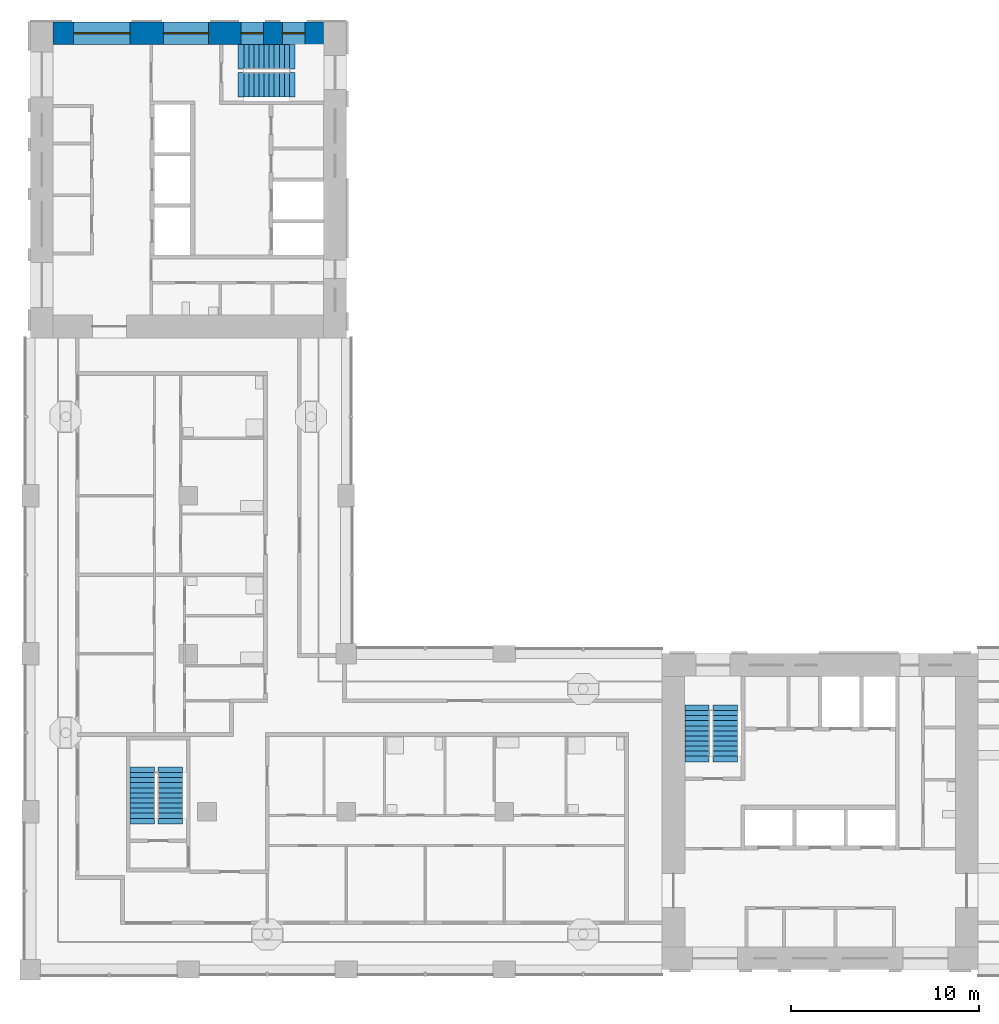
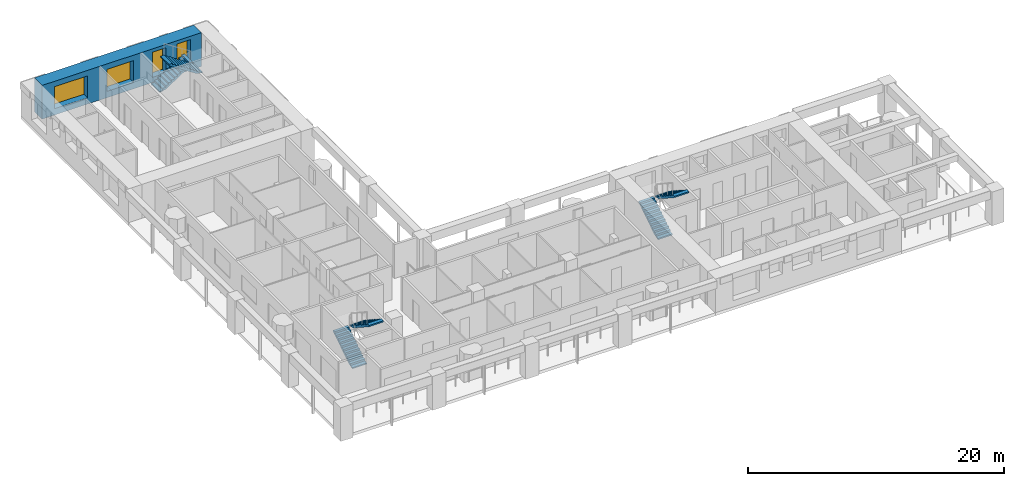
# One storey, part 7 of 13: 6 stair flights, 4 windows, 1 wall, 4 openings, 3 elements without a shape of their own.
"""IFC4 building model written with IfcOpenShell, lengths in metres."""

from ifc_helpers import new_model, si_unit, direction, frame, frame_2d, origin, place, context, subcontext, project, spatial, polyline, rectangle, outline, extrude, material, layer, layer_set, type_object, element, fill, aggregate, save


model = new_model("IFC4")

# Units and contexts
model_context = context("Model", 3, precision=1e-05, world=origin(), true_north=direction((0.0, 1.0)))
body_context = subcontext(model_context, "Body", "Model", "MODEL_VIEW")
ifc_project = project(units=[si_unit("LENGTHUNIT", "METRE"), si_unit("AREAUNIT", "SQUARE_METRE"), si_unit("VOLUMEUNIT", "CUBIC_METRE"), si_unit("PLANEANGLEUNIT", "RADIAN"), si_unit("MASSUNIT", "GRAM", prefix="KILO")], contexts=[model_context])

# Site, building, storey
site_placement = place(None, origin())
site = spatial("IfcSite", under=ifc_project, at=site_placement, CompositionType="ELEMENT")
building_placement = place(site_placement, origin())
building = spatial("IfcBuilding", under=site, at=building_placement, Name="Vermilion Gate Residences", CompositionType="ELEMENT")
storey_placement = place(building_placement, frame((0.0, 0.0, 154.699951171875)))
storey = spatial("IfcBuildingStorey", under=building, at=storey_placement, Name="L39", CompositionType="ELEMENT", Elevation=154.699951171875)

# Wall, openings, windows
ifc_material_1 = material(Name="Concrete C60 red-oxide pigmented", Category="concrete")
ifc_layer = layer(ifc_material_1, 1.199951171875)
ifc_layer_set = layer_set([ifc_layer], Name="RC CORE WALL 1200 C60 RED OXIDE")
wall_type = type_object("IfcWallType", Name="RC CORE WALL 1200 C60 RED OXIDE", PredefinedType="SHEAR", material=ifc_layer_set)
wall_placement = place(storey_placement, frame((9.60009765625, 58.199951171875, 0.0), z_axis=(0.0, 0.0, 1.0), x_axis=(1.0, 0.0, 0.0)))
wall = element("IfcWall", 1, at=wall_placement, inside=storey, type_object=wall_type, Name="Core wall B39-OUT-FR", PredefinedType="SHEAR", context=body_context, shape_type="SweptSolid", body=[
    extrude(rectangle(XDim=14.39990234375, YDim=1.199951171875, at=frame_2d((7.199951171875, 0.0))), origin(), (0.0, 0.0, 1.0), 3.219970703125),
])
opening_1_placement = place(wall_placement, frame((1.10498046875, 0.0, 0.60009765625)))
opening_1 = element("IfcOpeningElement", 2, at=opening_1_placement, cuts=wall, Name="Opening WKB3911", PredefinedType="OPENING", context=body_context, shape_type="SweptSolid", body=[
    extrude(rectangle(XDim=3.0, YDim=2.10009765625, at=frame_2d((1.5, 1.050048828125))), frame((0.0, 0.60986328125, 0.0), z_axis=(0.0, -1.0, 0.0), x_axis=(1.0, 0.0, 0.0)), (0.0, 0.0, 1.0), 1.219970703125),
])
opening_2_placement = place(wall_placement, frame((5.875, 0.0, 0.60009765625)))
opening_2 = element("IfcOpeningElement", 3, at=opening_2_placement, cuts=wall, Name="Opening WKB3912", PredefinedType="OPENING", context=body_context, shape_type="SweptSolid", body=[
    extrude(rectangle(XDim=2.39990234375, YDim=2.10009765625, at=frame_2d((1.199951171875, 1.050048828125))), frame((0.0, 0.60986328125, 0.0), z_axis=(0.0, -1.0, 0.0), x_axis=(1.0, 0.0, 0.0)), (0.0, 0.0, 1.0), 1.219970703125),
])
opening_3_placement = place(wall_placement, frame((9.993408203125, 0.0, 0.5)))
opening_3 = element("IfcOpeningElement", 4, at=opening_3_placement, cuts=wall, Name="Opening WKB3913", PredefinedType="OPENING", context=body_context, shape_type="SweptSolid", body=[
    extrude(rectangle(XDim=1.199951171875, YDim=2.39990234375, at=frame_2d((0.60009765625, 1.199951171875))), frame((0.0, 0.60986328125, 0.0), z_axis=(0.0, -1.0, 0.0), x_axis=(1.0, 0.0, 0.0)), (0.0, 0.0, 1.0), 1.219970703125),
])
opening_4_placement = place(wall_placement, frame((12.19677734375, 0.0, 0.5)))
opening_4 = element("IfcOpeningElement", 5, at=opening_4_placement, cuts=wall, Name="Opening WKB3914", PredefinedType="OPENING", context=body_context, shape_type="SweptSolid", body=[
    extrude(rectangle(XDim=1.199951171875, YDim=2.39990234375, at=frame_2d((0.60009765625, 1.199951171875))), frame((0.0, 0.60986328125, 0.0), z_axis=(0.0, -1.0, 0.0), x_axis=(1.0, 0.0, 0.0)), (0.0, 0.0, 1.0), 1.219970703125),
])
ifc_material_2 = material(Name="Aluminium and clear glass", Category="aluminium")
window_type_1 = type_object("IfcWindowType", Name="CORE LOBBY WINDOW 2400 X 2100", PartitioningType="SINGLE_PANEL", PredefinedType="WINDOW", material=ifc_material_2)
window_1_placement = place(opening_2_placement, origin())
window_1 = element("IfcWindow", 6, at=window_1_placement, inside=storey, type_object=window_type_1, Name="Core lobby window", OverallHeight=2.10009765625, OverallWidth=2.39990234375, PartitioningType="SINGLE_PANEL", PredefinedType="WINDOW", context=body_context, shape_type="SweptSolid", body=[
    extrude(rectangle(XDim=2.39990234375, YDim=2.10009765625, at=frame_2d((1.199951171875, 1.050048828125))), frame((0.0, 0.030029296875, 0.0), z_axis=(0.0, -1.0, 0.0), x_axis=(1.0, 0.0, 0.0)), (0.0, 0.0, 1.0), 0.06005859375),
])
fill(opening_2, window_1)
ifc_material_3 = material(Name="Aluminium and clear glass", Category="aluminium")
window_type_2 = type_object("IfcWindowType", Name="CORE LOBBY WINDOW 3000 X 2100", PartitioningType="SINGLE_PANEL", PredefinedType="WINDOW", material=ifc_material_3)
window_2_placement = place(opening_1_placement, origin())
window_2 = element("IfcWindow", 7, at=window_2_placement, inside=storey, type_object=window_type_2, Name="Core lobby window", OverallHeight=2.10009765625, OverallWidth=3.0, PartitioningType="SINGLE_PANEL", PredefinedType="WINDOW", context=body_context, shape_type="SweptSolid", body=[
    extrude(rectangle(XDim=3.0, YDim=2.10009765625, at=frame_2d((1.5, 1.050048828125))), frame((0.0, 0.030029296875, 0.0), z_axis=(0.0, -1.0, 0.0), x_axis=(1.0, 0.0, 0.0)), (0.0, 0.0, 1.0), 0.06005859375),
])
fill(opening_1, window_2)
ifc_material_4 = material(Name="Aluminium and clear glass", Category="aluminium")
window_type_3 = type_object("IfcWindowType", Name="CORE STAIR WINDOW 1200 X 2400", PartitioningType="SINGLE_PANEL", PredefinedType="WINDOW", material=ifc_material_4)
window_3_placement = place(opening_3_placement, origin())
window_3 = element("IfcWindow", 8, at=window_3_placement, inside=storey, type_object=window_type_3, Name="Core stair window", OverallHeight=2.39990234375, OverallWidth=1.199951171875, PartitioningType="SINGLE_PANEL", PredefinedType="WINDOW", context=body_context, shape_type="SweptSolid", body=[
    extrude(rectangle(XDim=1.199951171875, YDim=2.39990234375, at=frame_2d((0.60009765625, 1.199951171875))), frame((0.0, 0.030029296875, 0.0), z_axis=(0.0, -1.0, 0.0), x_axis=(1.0, 0.0, 0.0)), (0.0, 0.0, 1.0), 0.06005859375),
])
fill(opening_3, window_3)
window_4_placement = place(opening_4_placement, origin())
window_4 = element("IfcWindow", 9, at=window_4_placement, inside=storey, type_object=window_type_3, Name="Core stair window", OverallHeight=2.39990234375, OverallWidth=1.199951171875, PartitioningType="SINGLE_PANEL", PredefinedType="WINDOW", context=body_context, shape_type="SweptSolid", body=[
    extrude(rectangle(XDim=1.199951171875, YDim=2.39990234375, at=frame_2d((0.60009765625, 1.199951171875))), frame((0.0, 0.030029296875, 0.0), z_axis=(0.0, -1.0, 0.0), x_axis=(1.0, 0.0, 0.0)), (0.0, 0.0, 1.0), 0.06005859375),
])
fill(opening_4, window_4)

# Stair, stair flights
ifc_material_5 = material(Name="Concrete C50", Category="concrete")
stair_type = type_object("IfcStairType", Name="SPECIAL ESCAPE STAIR 1300", PredefinedType="HALF_TURN_STAIR", material=ifc_material_5)
stair_1_placement = place(storey_placement, origin())
stair_1 = element("IfcStair", 10, at=stair_1_placement, inside=storey, type_object=stair_type, Name="Special escape stair STA1-39", PredefinedType="HALF_TURN_STAIR")
ifc_material_6 = material(Name="Concrete C50", Category="concrete")
stair_flight_type = type_object("IfcStairFlightType", Name="STAIR FLIGHT 1300 RC C50", PredefinedType="STRAIGHT", material=ifc_material_6)
stair_flight_1_placement = place(storey_placement, frame((43.85009765625, 19.75, 0.0), z_axis=(0.0, 0.0, 1.0), x_axis=(0.0, 1.0, 0.0)))
stair_flight_1 = element("IfcStairFlight", 11, at=stair_flight_1_placement, type_object=stair_flight_type, Name="STA1-39 flight 1", NumberOfRisers=10, NumberOfTreads=9, PredefinedType="STRAIGHT", RiserHeight=0.175, TreadLength=0.27, context=body_context, shape_type="SweptSolid", body=[
    extrude(outline(polyline([(-0.300048828125, -0.14990234375), (-0.300048828125, -0.030029296875), (0.0, 0.0), (0.0, 0.175048828125), (0.27001953125, 0.175048828125), (0.27001953125, 0.35009765625), (0.5400390625, 0.35009765625), (0.5400390625, 0.52490234375), (0.81005859375, 0.52490234375), (0.81005859375, 0.699951171875), (1.080078125, 0.699951171875), (1.080078125, 0.875), (1.35009765625, 0.875), (1.35009765625, 1.050048828125), (1.6201171875, 1.050048828125), (1.6201171875, 1.22509765625), (1.889892578125, 1.22509765625), (1.889892578125, 1.39990234375), (2.159912109375, 1.39990234375), (2.159912109375, 1.574951171875), (2.429931640625, 1.574951171875), (2.429931640625, 1.75), (2.72998046875, 1.719970703125), (2.72998046875, 1.60009765625), (2.429931640625, 1.396484375), (0.275634765625, 0.0), (-0.300048828125, -0.14990234375)])), frame((0.0, 0.64990234375, 0.0), z_axis=(0.0, -1.0, 0.0), x_axis=(1.0, 0.0, 0.0)), (0.0, 0.0, 1.0), 1.300048828125),
])
stair_flight_2_placement = place(storey_placement, frame((45.35009765625, 22.179931640625, 1.75), z_axis=(0.0, 0.0, 1.0), x_axis=(0.0, -1.0, 0.0)))
stair_flight_2 = element("IfcStairFlight", 12, at=stair_flight_2_placement, type_object=stair_flight_type, Name="STA1-39 flight 2", NumberOfRisers=10, NumberOfTreads=9, PredefinedType="STRAIGHT", RiserHeight=0.175, TreadLength=0.27, context=body_context, shape_type="SweptSolid", body=[
    extrude(outline(polyline([(-0.300048828125, -0.14990234375), (-0.300048828125, -0.030029296875), (0.0, 0.0), (0.0, 0.175048828125), (0.27001953125, 0.175048828125), (0.27001953125, 0.35009765625), (0.5400390625, 0.35009765625), (0.5400390625, 0.52490234375), (0.81005859375, 0.52490234375), (0.81005859375, 0.699951171875), (1.080078125, 0.699951171875), (1.080078125, 0.875), (1.35009765625, 0.875), (1.35009765625, 1.050048828125), (1.6201171875, 1.050048828125), (1.6201171875, 1.22509765625), (1.889892578125, 1.22509765625), (1.889892578125, 1.39990234375), (2.159912109375, 1.39990234375), (2.159912109375, 1.574951171875), (2.429931640625, 1.574951171875), (2.429931640625, 1.75), (2.72998046875, 1.719970703125), (2.72998046875, 1.60009765625), (2.429931640625, 1.396484375), (0.275634765625, 0.0), (-0.300048828125, -0.14990234375)])), frame((0.0, 0.64990234375, 0.0), z_axis=(0.0, -1.0, 0.0), x_axis=(1.0, 0.0, 0.0)), (0.0, 0.0, 1.0), 1.300048828125),
])
aggregate(stair_1, [stair_flight_1, stair_flight_2])

stair_2_placement = place(storey_placement, origin())
stair_2 = element("IfcStair", 13, at=stair_2_placement, inside=storey, type_object=stair_type, Name="Special escape stair STB1-39", PredefinedType="HALF_TURN_STAIR")
stair_flight_3_placement = place(storey_placement, frame((19.75, 56.949951171875, 0.0), z_axis=(0.0, 0.0, 1.0), x_axis=(1.0, 0.0, 0.0)))
stair_flight_3 = element("IfcStairFlight", 14, at=stair_flight_3_placement, type_object=stair_flight_type, Name="STB1-39 flight 1", NumberOfRisers=10, NumberOfTreads=9, PredefinedType="STRAIGHT", RiserHeight=0.175, TreadLength=0.27, context=body_context, shape_type="SweptSolid", body=[
    extrude(outline(polyline([(-0.300048828125, -0.14990234375), (-0.300048828125, -0.030029296875), (0.0, 0.0), (0.0, 0.175048828125), (0.27001953125, 0.175048828125), (0.27001953125, 0.35009765625), (0.5400390625, 0.35009765625), (0.5400390625, 0.52490234375), (0.81005859375, 0.52490234375), (0.81005859375, 0.699951171875), (1.080078125, 0.699951171875), (1.080078125, 0.875), (1.35009765625, 0.875), (1.35009765625, 1.050048828125), (1.6201171875, 1.050048828125), (1.6201171875, 1.22509765625), (1.889892578125, 1.22509765625), (1.889892578125, 1.39990234375), (2.159912109375, 1.39990234375), (2.159912109375, 1.574951171875), (2.429931640625, 1.574951171875), (2.429931640625, 1.75), (2.72998046875, 1.719970703125), (2.72998046875, 1.60009765625), (2.429931640625, 1.396484375), (0.275634765625, 0.0), (-0.300048828125, -0.14990234375)])), frame((0.0, 0.64990234375, 0.0), z_axis=(0.0, -1.0, 0.0), x_axis=(1.0, 0.0, 0.0)), (0.0, 0.0, 1.0), 1.300048828125),
])
stair_flight_4_placement = place(storey_placement, frame((22.179931640625, 55.449951171875, 1.75), z_axis=(0.0, 0.0, 1.0), x_axis=(-1.0, 0.0, 0.0)))
stair_flight_4 = element("IfcStairFlight", 15, at=stair_flight_4_placement, type_object=stair_flight_type, Name="STB1-39 flight 2", NumberOfRisers=10, NumberOfTreads=9, PredefinedType="STRAIGHT", RiserHeight=0.175, TreadLength=0.27, context=body_context, shape_type="SweptSolid", body=[
    extrude(outline(polyline([(-0.300048828125, -0.14990234375), (-0.300048828125, -0.030029296875), (0.0, 0.0), (0.0, 0.175048828125), (0.27001953125, 0.175048828125), (0.27001953125, 0.35009765625), (0.5400390625, 0.35009765625), (0.5400390625, 0.52490234375), (0.81005859375, 0.52490234375), (0.81005859375, 0.699951171875), (1.080078125, 0.699951171875), (1.080078125, 0.875), (1.35009765625, 0.875), (1.35009765625, 1.050048828125), (1.6201171875, 1.050048828125), (1.6201171875, 1.22509765625), (1.889892578125, 1.22509765625), (1.889892578125, 1.39990234375), (2.159912109375, 1.39990234375), (2.159912109375, 1.574951171875), (2.429931640625, 1.574951171875), (2.429931640625, 1.75), (2.72998046875, 1.719970703125), (2.72998046875, 1.60009765625), (2.429931640625, 1.396484375), (0.275634765625, 0.0), (-0.300048828125, -0.14990234375)])), frame((0.0, 0.64990234375, 0.0), z_axis=(0.0, -1.0, 0.0), x_axis=(1.0, 0.0, 0.0)), (0.0, 0.0, 1.0), 1.300048828125),
])
aggregate(stair_2, [stair_flight_3, stair_flight_4])

stair_3_placement = place(storey_placement, origin())
stair_3 = element("IfcStair", 16, at=stair_3_placement, inside=storey, type_object=stair_type, Name="Special escape stair STC1-39", PredefinedType="HALF_TURN_STAIR")
stair_flight_5_placement = place(storey_placement, frame((14.35009765625, 16.449951171875, 0.0), z_axis=(0.0, 0.0, 1.0), x_axis=(0.0, 1.0, 0.0)))
stair_flight_5 = element("IfcStairFlight", 17, at=stair_flight_5_placement, type_object=stair_flight_type, Name="STC1-39 flight 1", NumberOfRisers=10, NumberOfTreads=9, PredefinedType="STRAIGHT", RiserHeight=0.175, TreadLength=0.27, context=body_context, shape_type="SweptSolid", body=[
    extrude(outline(polyline([(-0.300048828125, -0.14990234375), (-0.300048828125, -0.030029296875), (0.0, 0.0), (0.0, 0.175048828125), (0.27001953125, 0.175048828125), (0.27001953125, 0.35009765625), (0.5400390625, 0.35009765625), (0.5400390625, 0.52490234375), (0.81005859375, 0.52490234375), (0.81005859375, 0.699951171875), (1.080078125, 0.699951171875), (1.080078125, 0.875), (1.35009765625, 0.875), (1.35009765625, 1.050048828125), (1.6201171875, 1.050048828125), (1.6201171875, 1.22509765625), (1.889892578125, 1.22509765625), (1.889892578125, 1.39990234375), (2.159912109375, 1.39990234375), (2.159912109375, 1.574951171875), (2.429931640625, 1.574951171875), (2.429931640625, 1.75), (2.72998046875, 1.719970703125), (2.72998046875, 1.60009765625), (2.429931640625, 1.396484375), (0.275634765625, 0.0), (-0.300048828125, -0.14990234375)])), frame((0.0, 0.64990234375, 0.0), z_axis=(0.0, -1.0, 0.0), x_axis=(1.0, 0.0, 0.0)), (0.0, 0.0, 1.0), 1.300048828125),
])
stair_flight_6_placement = place(storey_placement, frame((15.85009765625, 18.8798828125, 1.75), z_axis=(0.0, 0.0, 1.0), x_axis=(0.0, -1.0, 0.0)))
stair_flight_6 = element("IfcStairFlight", 18, at=stair_flight_6_placement, type_object=stair_flight_type, Name="STC1-39 flight 2", NumberOfRisers=10, NumberOfTreads=9, PredefinedType="STRAIGHT", RiserHeight=0.175, TreadLength=0.27, context=body_context, shape_type="SweptSolid", body=[
    extrude(outline(polyline([(-0.300048828125, -0.14990234375), (-0.300048828125, -0.030029296875), (0.0, 0.0), (0.0, 0.175048828125), (0.27001953125, 0.175048828125), (0.27001953125, 0.35009765625), (0.5400390625, 0.35009765625), (0.5400390625, 0.52490234375), (0.81005859375, 0.52490234375), (0.81005859375, 0.699951171875), (1.080078125, 0.699951171875), (1.080078125, 0.875), (1.35009765625, 0.875), (1.35009765625, 1.050048828125), (1.6201171875, 1.050048828125), (1.6201171875, 1.22509765625), (1.889892578125, 1.22509765625), (1.889892578125, 1.39990234375), (2.159912109375, 1.39990234375), (2.159912109375, 1.574951171875), (2.429931640625, 1.574951171875), (2.429931640625, 1.75), (2.72998046875, 1.719970703125), (2.72998046875, 1.60009765625), (2.429931640625, 1.396484375), (0.275634765625, 0.0), (-0.300048828125, -0.14990234375)])), frame((0.0, 0.64990234375, 0.0), z_axis=(0.0, -1.0, 0.0), x_axis=(1.0, 0.0, 0.0)), (0.0, 0.0, 1.0), 1.300048828125),
])
aggregate(stair_3, [stair_flight_5, stair_flight_6])

save(model, "model.ifc")
